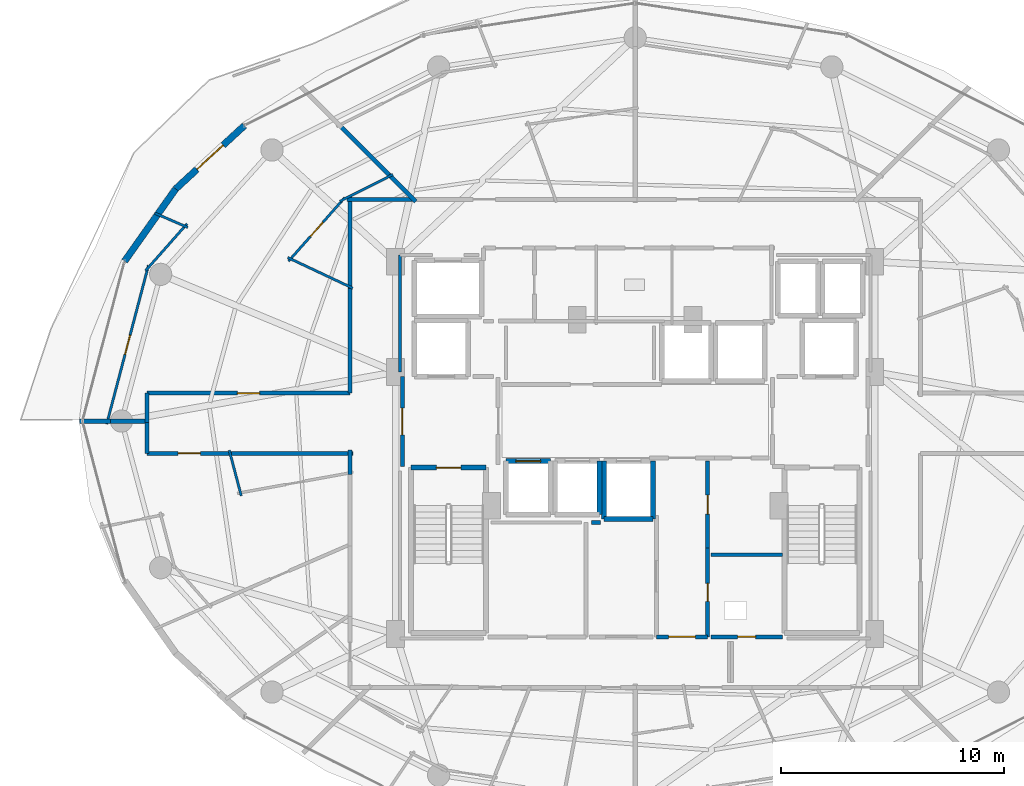
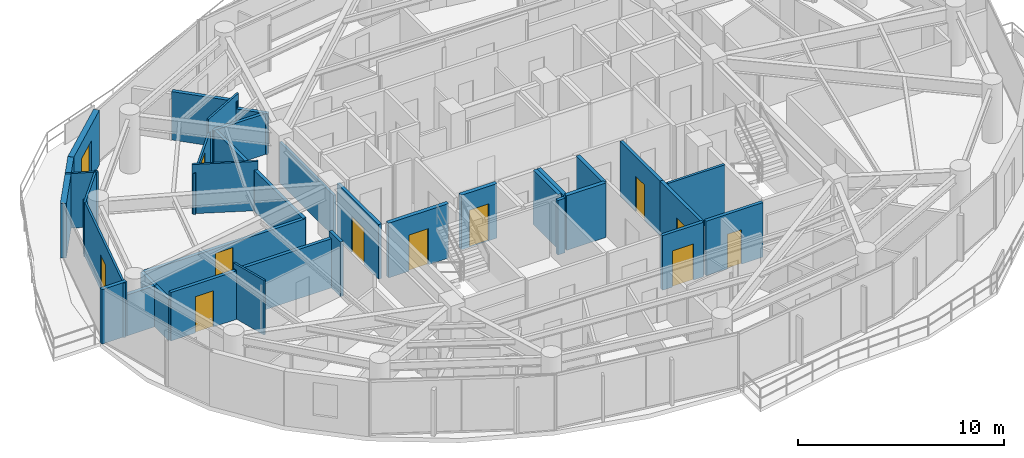
# One storey, part 23 of 31: 36 walls, 12 doors, 12 openings.
"""IFC4 building model written with IfcOpenShell, lengths in metres."""

from ifc_helpers import new_model, si_unit, direction, frame, frame_2d, origin, place, context, subcontext, project, spatial, rectangle, extrude, material, layer, layer_set, type_object, element, fill, save


model = new_model("IFC4")

# Units and contexts
model_context = context("Model", 3, precision=1e-05, world=origin(), true_north=direction((0.0, 1.0)))
body_context = subcontext(model_context, "Body", "Model", "MODEL_VIEW")
ifc_project = project(units=[si_unit("LENGTHUNIT", "METRE"), si_unit("AREAUNIT", "SQUARE_METRE"), si_unit("VOLUMEUNIT", "CUBIC_METRE"), si_unit("PLANEANGLEUNIT", "RADIAN"), si_unit("MASSUNIT", "GRAM", prefix="KILO")], contexts=[model_context])

# Site, building, storey
site_placement = place(None, origin())
site = spatial("IfcSite", under=ifc_project, at=site_placement, CompositionType="ELEMENT")
building_placement = place(site_placement, origin())
building = spatial("IfcBuilding", under=site, at=building_placement, Name="Vorneva Point Tower", CompositionType="ELEMENT")
storey_placement = place(building_placement, frame((0.0, 0.0, 136.10009765625)))
storey = spatial("IfcBuildingStorey", under=building, at=storey_placement, Name="L36", CompositionType="ELEMENT", Elevation=136.10009765625)

# Wall, opening, door
ifc_material_1 = material(Name="Precast concrete B50 (C40/50)", Category="concrete")
ifc_layer_1 = layer(ifc_material_1, 0.300048828125)
ifc_layer_set_1 = layer_set([ifc_layer_1], Name="Precast concrete B50 (C40/50)")
wall_type_1 = type_object("IfcWallType", Name="WL-EXT-300", PredefinedType="STANDARD", material=ifc_layer_set_1)
wall_1_placement = place(storey_placement, frame((20.4638671875, 39.25830078125, 0.0), z_axis=(0.0, 0.0, 1.0), x_axis=(-0.735477154165, -0.677549522693, 0.0)))
wall_1 = element("IfcWall", 1, at=wall_1_placement, inside=storey, type_object=wall_type_1, Name="L36 Pale-Metal Facade Spandrel Wall 07.1", PredefinedType="STANDARD", context=body_context, shape_type="SweptSolid", body=[
    extrude(rectangle(XDim=4.193603515625, YDim=0.300048828125, at=frame_2d((2.0966796875, 0.0))), origin(), (0.0, 0.0, 1.0), 3.239990234375),
])
opening_1_placement = place(wall_1_placement, frame((1.296875, 0.0, 0.0)))
opening_1 = element("IfcOpeningElement", 2, at=opening_1_placement, cuts=wall_1, Name="Opening BD-01", PredefinedType="OPENING", context=body_context, shape_type="SweptSolid", body=[
    extrude(rectangle(XDim=1.60009765625, YDim=2.300048828125, at=frame_2d((0.800048828125, 1.14990234375))), frame((0.0, 0.1650390625, 0.0), z_axis=(0.0, -1.0, 0.0), x_axis=(1.0, 0.0, 0.0)), (0.0, 0.0, 1.0), 0.329833984375),
])
ifc_material_2 = material(Name="Pale anodised aluminium", Category="aluminium")
door_type_1 = type_object("IfcDoorType", Name="DR-BAL-1600", OperationType="SLIDING_TO_LEFT", PredefinedType="DOOR", material=ifc_material_2)
door_1_placement = place(opening_1_placement, origin())
door_1 = element("IfcDoor", 3, at=door_1_placement, inside=storey, type_object=door_type_1, Name="L36 Balcony Terrace Access Door 07", OperationType="SLIDING_TO_LEFT", OverallHeight=2.300048828125, OverallWidth=1.60009765625, PredefinedType="DOOR", context=body_context, shape_type="SweptSolid", body=[
    extrude(rectangle(XDim=1.60009765625, YDim=2.300048828125, at=frame_2d((0.800048828125, 1.14990234375))), frame((0.0, 0.02490234375, 0.0), z_axis=(0.0, -1.0, 0.0), x_axis=(1.0, 0.0, 0.0)), (0.0, 0.0, 1.0), 0.050048828125),
])
fill(opening_1, door_1)

# Walls
wall_2_placement = place(storey_placement, frame((17.379638671875, 36.4169921875, 0.0), z_axis=(0.0, 0.0, 1.0), x_axis=(-0.577269753207, -0.816553508371, 0.0)))
element("IfcWall", 4, at=wall_2_placement, inside=storey, type_object=wall_type_1, Name="L36 Pale-Metal Facade Spandrel Wall 07.2", PredefinedType="STANDARD", context=body_context, shape_type="SweptSolid", body=[
    extrude(rectangle(XDim=3.969970703125, YDim=0.300048828125, at=frame_2d((1.98486328125, 0.0))), origin(), (0.0, 0.0, 1.0), 3.239990234375),
])
ifc_material_3 = material(Name="Fire-rated acoustic gypsum stud partition", Category="gypsum")
ifc_layer_2 = layer(ifc_material_3, 0.110107421875)
ifc_layer_set_2 = layer_set([ifc_layer_2], Name="Fire-rated acoustic gypsum stud partition")
wall_type_2 = type_object("IfcWallType", Name="WL-PART-110", PredefinedType="PARTITIONING", material=ifc_layer_set_2)
wall_3_placement = place(storey_placement, frame((25.32666015625, 31.96337890625, 0.0), z_axis=(0.0, 0.0, 1.0), x_axis=(-0.904775800467, 0.425888190596, 0.0)))
element("IfcWall", 5, at=wall_3_placement, inside=storey, type_object=wall_type_2, Name="L36 Interior Partition 092", PredefinedType="PARTITIONING", context=body_context, shape_type="SweptSolid", body=[
    extrude(rectangle(XDim=3.224609375, YDim=0.110107421875, at=frame_2d((1.6123046875, 0.0))), origin(), (0.0, 0.0, 1.0), 2.921875),
])

# Wall, opening, door
wall_4_placement = place(storey_placement, frame((22.443359375, 33.172119140625, 0.0), z_axis=(0.0, 0.0, 1.0), x_axis=(0.662199468358, 0.749327607997, 0.0)))
wall_4 = element("IfcWall", 6, at=wall_4_placement, inside=storey, type_object=wall_type_2, Name="L36 Interior Partition 093", PredefinedType="PARTITIONING", context=body_context, shape_type="SweptSolid", body=[
    extrude(rectangle(XDim=3.813720703125, YDim=0.110107421875, at=frame_2d((1.90673828125, 0.0))), origin(), (0.0, 0.0, 1.0), 2.431884765625),
])
opening_2_placement = place(wall_4_placement, frame((1.48193359375, 0.0, 0.0)))
opening_2 = element("IfcOpeningElement", 7, at=opening_2_placement, cuts=wall_4, Name="Opening ID-02", PredefinedType="OPENING", context=body_context, shape_type="SweptSolid", body=[
    extrude(rectangle(XDim=0.85009765625, YDim=2.10009765625, at=frame_2d((0.425048828125, 1.050048828125))), frame((0.0, 0.06982421875, 0.0), z_axis=(0.0, -1.0, 0.0), x_axis=(1.0, 0.0, 0.0)), (0.0, 0.0, 1.0), 0.139892578125),
])
ifc_material_4 = material(Name="Engineered oak fire-rated door leaf", Category="wood")
door_type_2 = type_object("IfcDoorType", Name="DR-BATH-850", OperationType="NOTDEFINED", PredefinedType="DOOR", material=ifc_material_4)
door_2_placement = place(opening_2_placement, origin())
door_2 = element("IfcDoor", 8, at=door_2_placement, inside=storey, type_object=door_type_2, Name="L36 Door Studio Apartment L36-04 / Bathroom L36-04", OperationType="SINGLE_SWING_LEFT", OverallHeight=2.10009765625, OverallWidth=0.85009765625, PredefinedType="DOOR", context=body_context, shape_type="SweptSolid", body=[
    extrude(rectangle(XDim=0.85009765625, YDim=2.10009765625, at=frame_2d((0.425048828125, 1.050048828125))), frame((0.0, 0.02490234375, 0.0), z_axis=(0.0, -1.0, 0.0), x_axis=(1.0, 0.0, 0.0)), (0.0, 0.0, 1.0), 0.050048828125),
])
fill(opening_2, door_2)

# Walls
wall_5_placement = place(storey_placement, frame((24.751220703125, 35.86181640625, 0.0), z_axis=(0.0, 0.0, 1.0), x_axis=(0.892455114256, 0.451136197882, 0.0)))
element("IfcWall", 9, at=wall_5_placement, inside=storey, type_object=wall_type_2, Name="L36 Interior Partition 094", PredefinedType="PARTITIONING", context=body_context, shape_type="SweptSolid", body=[
    extrude(rectangle(XDim=2.660888671875, YDim=0.110107421875, at=frame_2d((1.33056640625, 0.0))), origin(), (0.0, 0.0, 1.0), 3.239990234375),
])
wall_6_placement = place(storey_placement, frame((17.8857421875, 34.848876953125, 0.0), z_axis=(0.0, 0.0, 1.0), x_axis=(-0.661981664989, -0.749520029898, 0.0)))
element("IfcWall", 10, at=wall_6_placement, inside=storey, type_object=wall_type_2, Name="L36 Interior Partition 095", PredefinedType="PARTITIONING", context=body_context, shape_type="SweptSolid", body=[
    extrude(rectangle(XDim=2.802978515625, YDim=0.110107421875, at=frame_2d((1.4013671875, 0.0))), origin(), (0.0, 0.0, 1.0), 3.239990234375),
])

# Wall, opening, door
wall_7_placement = place(storey_placement, frame((16.15869140625, 32.98828125, 0.0), z_axis=(0.0, 0.0, 1.0), x_axis=(-0.254441093922, -0.967088274008, 0.0)))
wall_7 = element("IfcWall", 11, at=wall_7_placement, inside=storey, type_object=wall_type_2, Name="L36 Interior Partition 096", PredefinedType="PARTITIONING", context=body_context, shape_type="SweptSolid", body=[
    extrude(rectangle(XDim=7.3662109375, YDim=0.110107421875, at=frame_2d((3.68310546875, 0.0))), origin(), (0.0, 0.0, 1.0), 3.239990234375),
])
opening_3_placement = place(wall_7_placement, frame((3.233154296875, 0.0, 0.0)))
opening_3 = element("IfcOpeningElement", 12, at=opening_3_placement, cuts=wall_7, Name="Opening ID-01", PredefinedType="OPENING", context=body_context, shape_type="SweptSolid", body=[
    extrude(rectangle(XDim=0.89990234375, YDim=2.10009765625, at=frame_2d((0.449951171875, 1.050048828125))), frame((0.0, 0.06982421875, 0.0), z_axis=(0.0, -1.0, 0.0), x_axis=(1.0, 0.0, 0.0)), (0.0, 0.0, 1.0), 0.139892578125),
])
door_type_3 = type_object("IfcDoorType", Name="DR-ROOM-900", OperationType="NOTDEFINED", PredefinedType="DOOR", material=ifc_material_4)
door_3_placement = place(opening_3_placement, origin())
door_3 = element("IfcDoor", 13, at=door_3_placement, inside=storey, type_object=door_type_3, Name="L36 Door Studio Apartment L36-04 / Kitchen L36-04", OperationType="SINGLE_SWING_RIGHT", OverallHeight=2.10009765625, OverallWidth=0.89990234375, PredefinedType="DOOR", context=body_context, shape_type="SweptSolid", body=[
    extrude(rectangle(XDim=0.89990234375, YDim=2.10009765625, at=frame_2d((0.449951171875, 1.050048828125))), frame((0.0, 0.02490234375, 0.0), z_axis=(0.0, -1.0, 0.0), x_axis=(1.0, 0.0, 0.0)), (0.0, 0.0, 1.0), 0.050048828125),
])
fill(opening_3, door_3)

# Walls
wall_8_placement = place(storey_placement, frame((16.443603515625, 35.32861328125, 0.0), z_axis=(0.0, 0.0, 1.0), x_axis=(0.917553781871, -0.397611691698, 0.0)))
element("IfcWall", 14, at=wall_8_placement, inside=storey, type_object=wall_type_2, Name="L36 Interior Partition 097", PredefinedType="PARTITIONING", context=body_context, shape_type="SweptSolid", body=[
    extrude(rectangle(XDim=1.610595703125, YDim=0.110107421875, at=frame_2d((0.80517578125, 0.0))), origin(), (0.0, 0.0, 1.0), 3.239990234375),
])
wall_9_placement = place(storey_placement, frame((20.321533203125, 22.646484375, 0.0), z_axis=(0.0, 0.0, 1.0), x_axis=(-0.254316581286, 0.967121024734, 0.0)))
element("IfcWall", 15, at=wall_9_placement, inside=storey, type_object=wall_type_2, Name="L36 Interior Partition 101", PredefinedType="PARTITIONING", context=body_context, shape_type="SweptSolid", body=[
    extrude(rectangle(XDim=2.108154296875, YDim=0.110107421875, at=frame_2d((1.05419921875, 0.0))), origin(), (0.0, 0.0, 1.0), 3.239990234375),
])
ifc_layer_3 = layer(ifc_material_3, 0.139892578125)
ifc_layer_set_3 = layer_set([ifc_layer_3], Name="Fire-rated acoustic gypsum stud partition")
wall_type_3 = type_object("IfcWallType", Name="WL-PART-140", PredefinedType="PARTITIONING", material=ifc_layer_set_3)
wall_10_placement = place(storey_placement, frame((44.60009765625, 20.0, 0.0), z_axis=(0.0, 0.0, 1.0), x_axis=(-1.0, 0.0, 0.0)))
element("IfcWall", 16, at=wall_10_placement, inside=storey, type_object=wall_type_3, Name="L36 Interior Partition 017", PredefinedType="PARTITIONING", context=body_context, shape_type="SweptSolid", body=[
    extrude(rectangle(XDim=3.2001953125, YDim=0.139892578125, at=frame_2d((1.60009765625, 0.0))), origin(), (0.0, 0.0, 1.0), 3.239990234375),
])
wall_11_placement = place(storey_placement, frame((27.449951171875, 33.449951171875, 0.0), z_axis=(0.0, 0.0, 1.0), x_axis=(0.0, -1.0, 0.0)))
element("IfcWall", 17, at=wall_11_placement, inside=storey, type_object=wall_type_3, Name="L36 Interior Closure Partition 145", PredefinedType="PARTITIONING", context=body_context, shape_type="SweptSolid", body=[
    extrude(rectangle(XDim=5.25390625, YDim=0.139892578125, at=frame_2d((2.626953125, 0.0))), origin(), (0.0, 0.0, 1.0), 2.431884765625),
])

# Wall, opening, door
ifc_material_5 = material(Name="Autoclaved aerated concrete blockwork", Category="masonry")
ifc_layer_4 = layer(ifc_material_5, 0.179931640625)
ifc_layer_set_4 = layer_set([ifc_layer_4], Name="Autoclaved aerated concrete blockwork")
wall_type_4 = type_object("IfcWallType", Name="WL-PART-180", PredefinedType="PARTITIONING", material=ifc_layer_set_4)
wall_12_placement = place(storey_placement, frame((27.550048828125, 28.0, 0.0), z_axis=(0.0, 0.0, 1.0), x_axis=(0.0, -1.0, 0.0)))
wall_12 = element("IfcWall", 18, at=wall_12_placement, inside=storey, type_object=wall_type_4, Name="L36 Interior Partition 002", PredefinedType="PARTITIONING", context=body_context, shape_type="SweptSolid", body=[
    extrude(rectangle(XDim=4.050048828125, YDim=0.179931640625, at=frame_2d((2.02490234375, 0.0))), origin(), (0.0, 0.0, 1.0), 3.239990234375),
])
opening_4_placement = place(wall_12_placement, frame((1.425048828125, 0.0, 0.0)))
opening_4 = element("IfcOpeningElement", 19, at=opening_4_placement, cuts=wall_12, Name="Opening FD-02", PredefinedType="OPENING", context=body_context, shape_type="SweptSolid", body=[
    extrude(rectangle(XDim=1.199951171875, YDim=2.14990234375, at=frame_2d((0.60009765625, 1.074951171875))), frame((0.0, 0.10498046875, 0.0), z_axis=(0.0, -1.0, 0.0), x_axis=(1.0, 0.0, 0.0)), (0.0, 0.0, 1.0), 0.209716796875),
])
ifc_material_6 = material(Name="Fire-rated powder-coated steel", Category="steel")
door_type_4 = type_object("IfcDoorType", Name="DR-FFL-1200", OperationType="NOTDEFINED", PredefinedType="DOOR", material=ifc_material_6)
door_4_placement = place(opening_4_placement, origin())
door_4 = element("IfcDoor", 20, at=door_4_placement, inside=storey, type_object=door_type_4, Name="L36 Door West Firefighting Lobby / L36 Circulation Corridor", OperationType="SINGLE_SWING_RIGHT", OverallHeight=2.14990234375, OverallWidth=1.199951171875, PredefinedType="DOOR", context=body_context, shape_type="SweptSolid", body=[
    extrude(rectangle(XDim=1.199951171875, YDim=2.14990234375, at=frame_2d((0.60009765625, 1.074951171875))), frame((0.0, 0.02490234375, 0.0), z_axis=(0.0, -1.0, 0.0), x_axis=(1.0, 0.0, 0.0)), (0.0, 0.0, 1.0), 0.050048828125),
])
fill(opening_4, door_4)

wall_13_placement = place(storey_placement, frame((41.25, 16.320068359375, 0.0), z_axis=(0.0, 0.0, 1.0), x_axis=(0.0, 1.0, 0.0)))
wall_13 = element("IfcWall", 21, at=wall_13_placement, inside=storey, type_object=wall_type_4, Name="L36 Interior Partition 013", PredefinedType="PARTITIONING", context=body_context, shape_type="SweptSolid", body=[
    extrude(rectangle(XDim=3.98486328125, YDim=0.179931640625, at=frame_2d((1.992431640625, 0.0))), origin(), (0.0, 0.0, 1.0), 3.239990234375),
])
opening_5_placement = place(wall_13_placement, frame((1.592529296875, 0.0, 0.0)))
opening_5 = element("IfcOpeningElement", 22, at=opening_5_placement, cuts=wall_13, Name="Opening RD-01", PredefinedType="OPENING", context=body_context, shape_type="SweptSolid", body=[
    extrude(rectangle(XDim=0.800048828125, YDim=2.050048828125, at=frame_2d((0.39990234375, 1.02490234375))), frame((0.0, 0.10498046875, 0.0), z_axis=(0.0, -1.0, 0.0), x_axis=(1.0, 0.0, 0.0)), (0.0, 0.0, 1.0), 0.209716796875),
])
door_type_5 = type_object("IfcDoorType", Name="DR-RSR-800", OperationType="SINGLE_SWING_LEFT", PredefinedType="DOOR", material=ifc_material_6)
door_5_placement = place(opening_5_placement, origin())
door_5 = element("IfcDoor", 23, at=door_5_placement, inside=storey, type_object=door_type_5, Name="L36 Door Core Service Lobby / Electrical Riser", OperationType="SINGLE_SWING_LEFT", OverallHeight=2.050048828125, OverallWidth=0.800048828125, PredefinedType="DOOR", context=body_context, shape_type="SweptSolid", body=[
    extrude(rectangle(XDim=0.800048828125, YDim=2.050048828125, at=frame_2d((0.39990234375, 1.02490234375))), frame((0.0, 0.02490234375, 0.0), z_axis=(0.0, -1.0, 0.0), x_axis=(1.0, 0.0, 0.0)), (0.0, 0.0, 1.0), 0.050048828125),
])
fill(opening_5, door_5)

wall_14_placement = place(storey_placement, frame((41.25, 20.304931640625, 0.0), z_axis=(0.0, 0.0, 1.0), x_axis=(0.0, 1.0, 0.0)))
wall_14 = element("IfcWall", 24, at=wall_14_placement, inside=storey, type_object=wall_type_4, Name="L36 Interior Partition 014", PredefinedType="PARTITIONING", context=body_context, shape_type="SweptSolid", body=[
    extrude(rectangle(XDim=3.89501953125, YDim=0.179931640625, at=frame_2d((1.947509765625, 0.0))), origin(), (0.0, 0.0, 1.0), 3.239990234375),
])
opening_6_placement = place(wall_14_placement, frame((1.5224609375, 0.0, 0.0)))
opening_6 = element("IfcOpeningElement", 25, at=opening_6_placement, cuts=wall_14, Name="Opening ID-02", PredefinedType="OPENING", context=body_context, shape_type="SweptSolid", body=[
    extrude(rectangle(XDim=0.85009765625, YDim=2.10009765625, at=frame_2d((0.425048828125, 1.050048828125))), frame((0.0, 0.10498046875, 0.0), z_axis=(0.0, -1.0, 0.0), x_axis=(1.0, 0.0, 0.0)), (0.0, 0.0, 1.0), 0.209716796875),
])
door_6_placement = place(opening_6_placement, origin())
door_6 = element("IfcDoor", 26, at=door_6_placement, inside=storey, type_object=door_type_2, Name="L36 Door Core Service Lobby / Valet and Parcel Room", OperationType="SINGLE_SWING_RIGHT", OverallHeight=2.10009765625, OverallWidth=0.85009765625, PredefinedType="DOOR", context=body_context, shape_type="SweptSolid", body=[
    extrude(rectangle(XDim=0.85009765625, YDim=2.10009765625, at=frame_2d((0.425048828125, 1.050048828125))), frame((0.0, 0.02490234375, 0.0), z_axis=(0.0, -1.0, 0.0), x_axis=(1.0, 0.0, 0.0)), (0.0, 0.0, 1.0), 0.050048828125),
])
fill(opening_6, door_6)

wall_15_placement = place(storey_placement, frame((38.949951171875, 16.320068359375, 0.0), z_axis=(0.0, 0.0, 1.0), x_axis=(1.0, 0.0, 0.0)))
wall_15 = element("IfcWall", 27, at=wall_15_placement, inside=storey, type_object=wall_type_4, Name="L36 Interior Partition 016", PredefinedType="PARTITIONING", context=body_context, shape_type="SweptSolid", body=[
    extrude(rectangle(XDim=2.300048828125, YDim=0.179931640625, at=frame_2d((1.14990234375, 0.0))), origin(), (0.0, 0.0, 1.0), 3.239990234375),
])
opening_7_placement = place(wall_15_placement, frame((0.550048828125, 0.0, 0.0)))
opening_7 = element("IfcOpeningElement", 28, at=opening_7_placement, cuts=wall_15, Name="Opening FD-02", PredefinedType="OPENING", context=body_context, shape_type="SweptSolid", body=[
    extrude(rectangle(XDim=1.199951171875, YDim=2.14990234375, at=frame_2d((0.60009765625, 1.074951171875))), frame((0.0, 0.10498046875, 0.0), z_axis=(0.0, -1.0, 0.0), x_axis=(1.0, 0.0, 0.0)), (0.0, 0.0, 1.0), 0.209716796875),
])
door_7_placement = place(opening_7_placement, origin())
door_7 = element("IfcDoor", 29, at=door_7_placement, inside=storey, type_object=door_type_4, Name="L36 Door Core Service Lobby / L36 Circulation Corridor", OperationType="SINGLE_SWING_RIGHT", OverallHeight=2.14990234375, OverallWidth=1.199951171875, PredefinedType="DOOR", context=body_context, shape_type="SweptSolid", body=[
    extrude(rectangle(XDim=1.199951171875, YDim=2.14990234375, at=frame_2d((0.60009765625, 1.074951171875))), frame((0.0, 0.02490234375, 0.0), z_axis=(0.0, -1.0, 0.0), x_axis=(1.0, 0.0, 0.0)), (0.0, 0.0, 1.0), 0.050048828125),
])
fill(opening_7, door_7)

wall_16_placement = place(storey_placement, frame((41.39990234375, 16.320068359375, 0.0), z_axis=(0.0, 0.0, 1.0), x_axis=(1.0, 0.0, 0.0)))
wall_16 = element("IfcWall", 30, at=wall_16_placement, inside=storey, type_object=wall_type_4, Name="L36 Interior Partition 018", PredefinedType="PARTITIONING", context=body_context, shape_type="SweptSolid", body=[
    extrude(rectangle(XDim=3.2001953125, YDim=0.179931640625, at=frame_2d((1.60009765625, 0.0))), origin(), (0.0, 0.0, 1.0), 3.239990234375),
])
opening_8_placement = place(wall_16_placement, frame((1.199951171875, 0.0, 0.0)))
opening_8 = element("IfcOpeningElement", 31, at=opening_8_placement, cuts=wall_16, Name="Opening RD-01", PredefinedType="OPENING", context=body_context, shape_type="SweptSolid", body=[
    extrude(rectangle(XDim=0.800048828125, YDim=2.050048828125, at=frame_2d((0.39990234375, 1.02490234375))), frame((0.0, 0.10498046875, 0.0), z_axis=(0.0, -1.0, 0.0), x_axis=(1.0, 0.0, 0.0)), (0.0, 0.0, 1.0), 0.209716796875),
])
door_8_placement = place(opening_8_placement, origin())
door_8 = element("IfcDoor", 32, at=door_8_placement, inside=storey, type_object=door_type_5, Name="L36 Door Electrical Riser / L36 Circulation Corridor", OperationType="SINGLE_SWING_LEFT", OverallHeight=2.050048828125, OverallWidth=0.800048828125, PredefinedType="DOOR", context=body_context, shape_type="SweptSolid", body=[
    extrude(rectangle(XDim=0.800048828125, YDim=2.050048828125, at=frame_2d((0.39990234375, 1.02490234375))), frame((0.0, 0.02490234375, 0.0), z_axis=(0.0, -1.0, 0.0), x_axis=(1.0, 0.0, 0.0)), (0.0, 0.0, 1.0), 0.050048828125),
])
fill(opening_8, door_8)

# Walls
wall_17_placement = place(storey_placement, frame((16.10009765625, 27.25, 0.0), z_axis=(0.0, 0.0, 1.0), x_axis=(0.0, -1.0, 0.0)))
element("IfcWall", 33, at=wall_17_placement, inside=storey, type_object=wall_type_4, Name="L36 Interior Partition 040", PredefinedType="PARTITIONING", context=body_context, shape_type="SweptSolid", body=[
    extrude(rectangle(XDim=1.31005859375, YDim=0.179931640625, at=frame_2d((0.655029296875, 0.0))), origin(), (0.0, 0.0, 1.0), 2.431884765625),
])
wall_18_placement = place(storey_placement, frame((25.199951171875, 32.089111328125, 0.0), z_axis=(0.0, 0.0, 1.0), x_axis=(0.0, -1.0, 0.0)))
element("IfcWall", 34, at=wall_18_placement, inside=storey, type_object=wall_type_4, Name="L36 Interior Partition 041", PredefinedType="PARTITIONING", context=body_context, shape_type="SweptSolid", body=[
    extrude(rectangle(XDim=4.839111328125, YDim=0.179931640625, at=frame_2d((2.41943359375, 0.0))), origin(), (0.0, 0.0, 1.0), 2.431884765625),
])

# Wall, opening, door
wall_19_placement = place(storey_placement, frame((25.199951171875, 27.25, 0.0), z_axis=(0.0, 0.0, 1.0), x_axis=(-1.0, 0.0, 0.0)))
wall_19 = element("IfcWall", 35, at=wall_19_placement, inside=storey, type_object=wall_type_4, Name="L36 Interior Partition 042", PredefinedType="PARTITIONING", context=body_context, shape_type="SweptSolid", body=[
    extrude(rectangle(XDim=9.099853515625, YDim=0.179931640625, at=frame_2d((4.5498046875, 0.0))), origin(), (0.0, 0.0, 1.0), 2.431884765625),
])
opening_9_placement = place(wall_19_placement, frame((4.050048828125, 0.0, 0.0)))
opening_9 = element("IfcOpeningElement", 36, at=opening_9_placement, cuts=wall_19, Name="Opening UD-01", PredefinedType="OPENING", context=body_context, shape_type="SweptSolid", body=[
    extrude(rectangle(XDim=1.0, YDim=2.14990234375, at=frame_2d((0.5, 1.074951171875))), frame((0.0, 0.10498046875, 0.0), z_axis=(0.0, -1.0, 0.0), x_axis=(1.0, 0.0, 0.0)), (0.0, 0.0, 1.0), 0.209716796875),
])
door_type_6 = type_object("IfcDoorType", Name="DR-UNIT-1000", OperationType="NOTDEFINED", PredefinedType="DOOR", material=ifc_material_4)
door_9_placement = place(opening_9_placement, origin())
door_9 = element("IfcDoor", 37, at=door_9_placement, inside=storey, type_object=door_type_6, Name="L36 Door L36 Circulation Corridor / Studio Apartment L36-04", OperationType="SINGLE_SWING_RIGHT", OverallHeight=2.14990234375, OverallWidth=1.0, PredefinedType="DOOR", context=body_context, shape_type="SweptSolid", body=[
    extrude(rectangle(XDim=1.0, YDim=2.14990234375, at=frame_2d((0.5, 1.074951171875))), frame((0.0, 0.02490234375, 0.0), z_axis=(0.0, -1.0, 0.0), x_axis=(1.0, 0.0, 0.0)), (0.0, 0.0, 1.0), 0.050048828125),
])
fill(opening_9, door_9)

# Walls
wall_20_placement = place(storey_placement, frame((28.10498046875, 35.949951171875, 0.0), z_axis=(0.0, 0.0, 1.0), x_axis=(-1.0, 0.0, 0.0)))
element("IfcWall", 38, at=wall_20_placement, inside=storey, type_object=wall_type_4, Name="L36 Interior Partition 043", PredefinedType="PARTITIONING", context=body_context, shape_type="SweptSolid", body=[
    extrude(rectangle(XDim=3.044921875, YDim=0.179931640625, at=frame_2d((1.5224609375, 0.0))), origin(), (0.0, 0.0, 1.0), 2.431884765625),
])
wall_21_placement = place(storey_placement, frame((25.199951171875, 36.090087890625, 0.0), z_axis=(0.0, 0.0, 1.0), x_axis=(0.0, -1.0, 0.0)))
element("IfcWall", 39, at=wall_21_placement, inside=storey, type_object=wall_type_4, Name="L36 Interior Partition 044", PredefinedType="PARTITIONING", context=body_context, shape_type="SweptSolid", body=[
    extrude(rectangle(XDim=4.14111328125, YDim=0.179931640625, at=frame_2d((2.070556640625, 0.0))), origin(), (0.0, 0.0, 1.0), 2.431884765625),
])
wall_22_placement = place(storey_placement, frame((16.10009765625, 25.93994140625, 0.0), z_axis=(0.0, 0.0, 1.0), x_axis=(0.0, -1.0, 0.0)))
element("IfcWall", 40, at=wall_22_placement, inside=storey, type_object=wall_type_4, Name="L36 Interior Partition 045", PredefinedType="PARTITIONING", context=body_context, shape_type="SweptSolid", body=[
    extrude(rectangle(XDim=1.389892578125, YDim=0.179931640625, at=frame_2d((0.69482421875, 0.0))), origin(), (0.0, 0.0, 1.0), 2.431884765625),
])

# Wall, opening, door
wall_23_placement = place(storey_placement, frame((16.10009765625, 24.550048828125, 0.0), z_axis=(0.0, 0.0, 1.0), x_axis=(1.0, 0.0, 0.0)))
wall_23 = element("IfcWall", 41, at=wall_23_placement, inside=storey, type_object=wall_type_4, Name="L36 Interior Partition 046", PredefinedType="PARTITIONING", context=body_context, shape_type="SweptSolid", body=[
    extrude(rectangle(XDim=3.782958984375, YDim=0.179931640625, at=frame_2d((1.8916015625, 0.0))), origin(), (0.0, 0.0, 1.0), 2.8740234375),
])
opening_10_placement = place(wall_23_placement, frame((1.3916015625, 0.0, 0.0)))
opening_10 = element("IfcOpeningElement", 42, at=opening_10_placement, cuts=wall_23, Name="Opening UD-01", PredefinedType="OPENING", context=body_context, shape_type="SweptSolid", body=[
    extrude(rectangle(XDim=1.0, YDim=2.14990234375, at=frame_2d((0.5, 1.074951171875))), frame((0.0, 0.10498046875, 0.0), z_axis=(0.0, -1.0, 0.0), x_axis=(1.0, 0.0, 0.0)), (0.0, 0.0, 1.0), 0.209716796875),
])
door_10_placement = place(opening_10_placement, origin())
door_10 = element("IfcDoor", 43, at=door_10_placement, inside=storey, type_object=door_type_6, Name="L36 Door L36 Circulation Corridor / Living and Dining Room L36-05", OperationType="SINGLE_SWING_LEFT", OverallHeight=2.14990234375, OverallWidth=1.0, PredefinedType="DOOR", context=body_context, shape_type="SweptSolid", body=[
    extrude(rectangle(XDim=1.0, YDim=2.14990234375, at=frame_2d((0.5, 1.074951171875))), frame((0.0, 0.02490234375, 0.0), z_axis=(0.0, -1.0, 0.0), x_axis=(1.0, 0.0, 0.0)), (0.0, 0.0, 1.0), 0.050048828125),
])
fill(opening_10, door_10)

# Walls
wall_24_placement = place(storey_placement, frame((19.742919921875, 24.550048828125, 0.0), z_axis=(0.0, 0.0, 1.0), x_axis=(1.0, 0.0, 0.0)))
element("IfcWall", 44, at=wall_24_placement, inside=storey, type_object=wall_type_4, Name="L36 Interior Partition 048", PredefinedType="PARTITIONING", context=body_context, shape_type="SweptSolid", body=[
    extrude(rectangle(XDim=5.59716796875, YDim=0.179931640625, at=frame_2d((2.798583984375, 0.0))), origin(), (0.0, 0.0, 1.0), 2.921875),
])
wall_25_placement = place(storey_placement, frame((25.199951171875, 24.68994140625, 0.0), z_axis=(0.0, 0.0, 1.0), x_axis=(0.0, -1.0, 0.0)))
element("IfcWall", 45, at=wall_25_placement, inside=storey, type_object=wall_type_4, Name="L36 Interior Partition 049", PredefinedType="PARTITIONING", context=body_context, shape_type="SweptSolid", body=[
    extrude(rectangle(XDim=1.094970703125, YDim=0.179931640625, at=frame_2d((0.54736328125, 0.0))), origin(), (0.0, 0.0, 1.0), 3.239990234375),
])
wall_26_placement = place(storey_placement, frame((36.43896484375, 21.449951171875, 0.0), z_axis=(0.0, 0.0, 1.0), x_axis=(-1.0, 0.0, 0.0)))
element("IfcWall", 46, at=wall_26_placement, inside=storey, type_object=wall_type_4, Name="L36 Interior Closure Partition 137", PredefinedType="PARTITIONING", context=body_context, shape_type="SweptSolid", body=[
    extrude(rectangle(XDim=0.408935546875, YDim=0.179931640625, at=frame_2d((0.20458984375, 0.0))), origin(), (0.0, 0.0, 1.0), 3.239990234375),
])
ifc_layer_5 = layer(ifc_material_5, 0.199951171875)
ifc_layer_set_5 = layer_set([ifc_layer_5], Name="Autoclaved aerated concrete blockwork")
wall_type_5 = type_object("IfcWallType", Name="WL-PART-200", PredefinedType="PARTITIONING", material=ifc_layer_set_5)
wall_27_placement = place(storey_placement, frame((24.72607421875, 39.27392578125, 0.0), z_axis=(0.0, 0.0, 1.0), x_axis=(0.707106781187, -0.707106781187, 0.0)))
element("IfcWall", 47, at=wall_27_placement, inside=storey, type_object=wall_type_5, Name="L36 Interior Partition 089", PredefinedType="PARTITIONING", context=body_context, shape_type="SweptSolid", body=[
    extrude(rectangle(XDim=3.276611328125, YDim=0.199951171875, at=frame_2d((1.63818359375, 0.0))), origin(), (0.0, 0.0, 1.0), 2.8740234375),
])
wall_28_placement = place(storey_placement, frame((26.944091796875, 37.055908203125, 0.0), z_axis=(0.0, 0.0, 1.0), x_axis=(0.707106781187, -0.707106781187, 0.0)))
element("IfcWall", 48, at=wall_28_placement, inside=storey, type_object=wall_type_5, Name="L36 Interior Partition 090", PredefinedType="PARTITIONING", context=body_context, shape_type="SweptSolid", body=[
    extrude(rectangle(XDim=1.703857421875, YDim=0.199951171875, at=frame_2d((0.85205078125, 0.0))), origin(), (0.0, 0.0, 1.0), 2.431884765625),
])
wall_29_placement = place(storey_placement, frame((14.320068359375, 26.0, 0.0), z_axis=(0.0, 0.0, 1.0), x_axis=(1.0, 0.0, 0.0)))
element("IfcWall", 49, at=wall_29_placement, inside=storey, type_object=wall_type_5, Name="L36 Interior Partition 098", PredefinedType="PARTITIONING", context=body_context, shape_type="SweptSolid", body=[
    extrude(rectangle(XDim=1.780029296875, YDim=0.199951171875, at=frame_2d((0.89013671875, 0.0))), origin(), (0.0, 0.0, 1.0), 2.431884765625),
])
wall_30_placement = place(storey_placement, frame((13.06103515625, 26.0, 0.0), z_axis=(0.0, 0.0, 1.0), x_axis=(1.0, 0.0, 0.0)))
element("IfcWall", 50, at=wall_30_placement, inside=storey, type_object=wall_type_5, Name="L36 Interior Partition 099", PredefinedType="PARTITIONING", context=body_context, shape_type="SweptSolid", body=[
    extrude(rectangle(XDim=1.39892578125, YDim=0.199951171875, at=frame_2d((0.699462890625, 0.0))), origin(), (0.0, 0.0, 1.0), 3.239990234375),
])

# Wall, opening, door
ifc_material_7 = material(Name="Concrete B50 (C40/50)", Category="concrete")
ifc_layer_6 = layer(ifc_material_7, 0.219970703125)
ifc_layer_set_6 = layer_set([ifc_layer_6], Name="Concrete B50 (C40/50)")
wall_type_6 = type_object("IfcWallType", Name="WL-SHFT-220", PredefinedType="SOLIDWALL", material=ifc_layer_set_6)
wall_31_placement = place(storey_placement, frame((27.93994140625, 23.909912109375, 0.0), z_axis=(0.0, 0.0, 1.0), x_axis=(1.0, 0.0, 0.0)))
wall_31 = element("IfcWall", 51, at=wall_31_placement, inside=storey, type_object=wall_type_6, Name="L36 Exit Stair ST1 Shaft Wall near", PredefinedType="SOLIDWALL", context=body_context, shape_type="SweptSolid", body=[
    extrude(rectangle(XDim=3.3701171875, YDim=0.219970703125, at=frame_2d((1.68505859375, 0.0))), origin(), (0.0, 0.0, 1.0), 3.239990234375),
])
opening_11_placement = place(wall_31_placement, frame((1.135009765625, 0.0, 0.0)))
opening_11 = element("IfcOpeningElement", 52, at=opening_11_placement, cuts=wall_31, Name="Opening FD-01", PredefinedType="OPENING", context=body_context, shape_type="SweptSolid", body=[
    extrude(rectangle(XDim=1.10009765625, YDim=2.14990234375, at=frame_2d((0.550048828125, 1.074951171875))), frame((0.0, 0.125, 0.0), z_axis=(0.0, -1.0, 0.0), x_axis=(1.0, 0.0, 0.0)), (0.0, 0.0, 1.0), 0.249755859375),
])
door_type_7 = type_object("IfcDoorType", Name="DR-STAIR-1100", OperationType="NOTDEFINED", PredefinedType="DOOR", material=ifc_material_6)
door_11_placement = place(opening_11_placement, origin())
door_11 = element("IfcDoor", 53, at=door_11_placement, inside=storey, type_object=door_type_7, Name="L36 Exit Stair ST1 Fire Door", OperationType="SINGLE_SWING_RIGHT", OverallHeight=2.14990234375, OverallWidth=1.10009765625, PredefinedType="DOOR", context=body_context, shape_type="SweptSolid", body=[
    extrude(rectangle(XDim=1.10009765625, YDim=2.14990234375, at=frame_2d((0.550048828125, 1.074951171875))), frame((0.0, 0.02490234375, 0.0), z_axis=(0.0, -1.0, 0.0), x_axis=(1.0, 0.0, 0.0)), (0.0, 0.0, 1.0), 0.050048828125),
])
fill(opening_11, door_11)

wall_32_placement = place(storey_placement, frame((34.199951171875, 24.199951171875, 0.0), z_axis=(0.0, 0.0, 1.0), x_axis=(-1.0, 0.0, 0.0)))
wall_32 = element("IfcWall", 54, at=wall_32_placement, inside=storey, type_object=wall_type_6, Name="L36 Lift PL4 Shaft Wall +Y", PredefinedType="SOLIDWALL", context=body_context, shape_type="SweptSolid", body=[
    extrude(rectangle(XDim=2.0, YDim=0.219970703125, at=frame_2d((1.0, 0.0))), origin(), (0.0, 0.0, 1.0), 3.239990234375),
])
opening_12_placement = place(wall_32_placement, frame((0.449951171875, 0.0, 0.0)))
opening_12 = element("IfcOpeningElement", 55, at=opening_12_placement, cuts=wall_32, Name="Opening LD-01", PredefinedType="OPENING", context=body_context, shape_type="SweptSolid", body=[
    extrude(rectangle(XDim=1.10009765625, YDim=2.199951171875, at=frame_2d((0.550048828125, 1.10009765625))), frame((0.0, 0.125, 0.0), z_axis=(0.0, -1.0, 0.0), x_axis=(1.0, 0.0, 0.0)), (0.0, 0.0, 1.0), 0.249755859375),
])
ifc_material_8 = material(Name="Brushed stainless steel S304", Category="steel")
door_type_8 = type_object("IfcDoorType", Name="LD-PASS-1100", OperationType="SLIDING_TO_LEFT", PredefinedType="DOOR", material=ifc_material_8)
door_12_placement = place(opening_12_placement, origin())
door_12 = element("IfcDoor", 56, at=door_12_placement, inside=storey, type_object=door_type_8, Name="L36 Lift PL4 Sliding Landing Door", OperationType="SLIDING_TO_LEFT", OverallHeight=2.199951171875, OverallWidth=1.10009765625, PredefinedType="DOOR", context=body_context, shape_type="SweptSolid", body=[
    extrude(rectangle(XDim=1.10009765625, YDim=2.199951171875, at=frame_2d((0.550048828125, 1.10009765625))), frame((0.0, 0.02490234375, 0.0), z_axis=(0.0, -1.0, 0.0), x_axis=(1.0, 0.0, 0.0)), (0.0, 0.0, 1.0), 0.050048828125),
])
fill(opening_12, door_12)

# Walls
wall_33_placement = place(storey_placement, frame((36.39990234375, 21.800048828125, 0.0), z_axis=(0.0, 0.0, 1.0), x_axis=(0.0, 1.0, 0.0)))
element("IfcWall", 57, at=wall_33_placement, inside=storey, type_object=wall_type_6, Name="L36 Lift PL5 Shaft Wall +X", PredefinedType="SOLIDWALL", context=body_context, shape_type="SweptSolid", body=[
    extrude(rectangle(XDim=2.39990234375, YDim=0.219970703125, at=frame_2d((1.199951171875, 0.0))), origin(), (0.0, 0.0, 1.0), 3.239990234375),
])
wall_34_placement = place(storey_placement, frame((36.60009765625, 21.60009765625, 0.0), z_axis=(0.0, 0.0, 1.0), x_axis=(1.0, 0.0, 0.0)))
element("IfcWall", 58, at=wall_34_placement, inside=storey, type_object=wall_type_6, Name="L36 Lift PL6 Shaft Wall -Y", PredefinedType="SOLIDWALL", context=body_context, shape_type="SweptSolid", body=[
    extrude(rectangle(XDim=2.199951171875, YDim=0.219970703125, at=frame_2d((1.10009765625, 0.0))), origin(), (0.0, 0.0, 1.0), 3.239990234375),
])
for number, where, z_axis, x_axis, name in (
    (59, (38.800048828125, 21.60009765625, 0.0), (0.0, 0.0, 1.0), (0.0, 1.0, 0.0), "L36 Lift PL6 Shaft Wall +X"),
    (60, (36.60009765625, 24.199951171875, 0.0), (0.0, 0.0, 1.0), (0.0, -1.0, 0.0), "L36 Lift PL6 Shaft Wall -X"),
):
    element("IfcWall", number, at=place(storey_placement, frame(where, z_axis=z_axis, x_axis=x_axis)), inside=storey, type_object=wall_type_6, Name=name, PredefinedType="SOLIDWALL", context=body_context, shape_type="SweptSolid", body=[
        extrude(rectangle(XDim=2.599853515625, YDim=0.219970703125, at=frame_2d((1.2998046875, 0.0))), origin(), (0.0, 0.0, 1.0), 3.239990234375),
    ])

save(model, "model.ifc")
